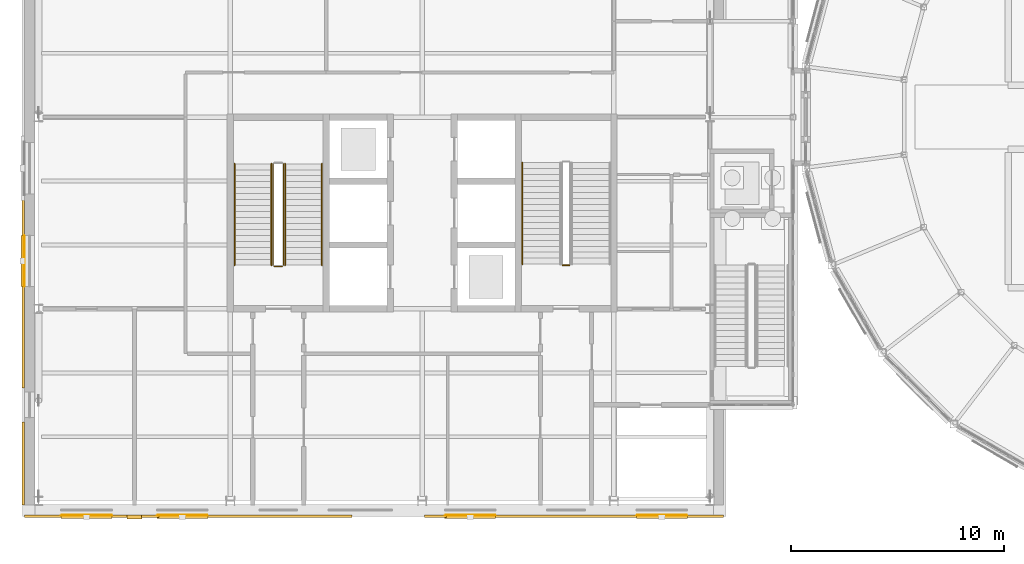
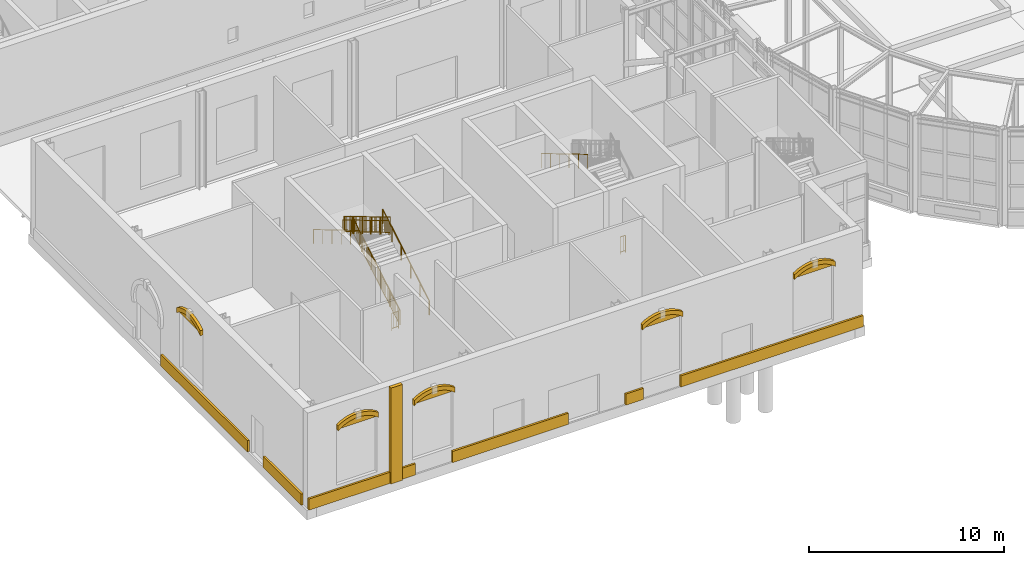
# One storey, part 90 of 106: 18 coverings, 9 railings.
"""IFC4 building model written with IfcOpenShell, lengths in metres."""

from ifc_helpers import new_model, si_unit, direction, frame, origin, origin_2d, place, context, subcontext, project, spatial, polyline, rectangle, circle, outline, extrude, material, layer, layer_set, type_object, element, save


model = new_model("IFC4")

# Units and contexts
model_context = context("Model", 3, precision=1e-05, world=origin(), true_north=direction((0.0, 1.0)))
body_context = subcontext(model_context, "Body", "Model", "MODEL_VIEW")
ifc_project = project(units=[si_unit("LENGTHUNIT", "METRE"), si_unit("AREAUNIT", "SQUARE_METRE"), si_unit("VOLUMEUNIT", "CUBIC_METRE"), si_unit("PLANEANGLEUNIT", "RADIAN"), si_unit("MASSUNIT", "GRAM", prefix="KILO")], contexts=[model_context])

# Site, building, storey
site_placement = place(None, origin())
site = spatial("IfcSite", under=ifc_project, at=site_placement, CompositionType="ELEMENT")
building_placement = place(site_placement, origin())
building = spatial("IfcBuilding", under=site, at=building_placement, Name="Hortulan Conservatory and Botanical Research Centre", CompositionType="ELEMENT")
storey_placement = place(building_placement, origin())
storey = spatial("IfcBuildingStorey", under=building, at=storey_placement, Name="L00", CompositionType="ELEMENT", Elevation=0.0)

# Coverings
ifc_material_1 = material(Name="Sandstone masonry (Hawkesbury yellow block)", Category="masonry")
ifc_layer_1 = layer(ifc_material_1, 0.1201171875)
ifc_layer_set_1 = layer_set([ifc_layer_1], Name="Rusticated Sandstone Base Course 700x120")
covering_type_1 = type_object("IfcCoveringType", Name="Rusticated Sandstone Base Course 700x120", PredefinedType="CLADDING", material=ifc_layer_set_1)
covering_1_placement = place(storey_placement, frame((26.75, -0.720947265625, 0.0), z_axis=(0.0, 0.0, 1.0), x_axis=(-1.0, 0.0, 0.0)))
element("IfcCovering", 1, at=covering_1_placement, inside=storey, type_object=covering_type_1, Name="String course", PredefinedType="CLADDING", context=body_context, shape_type="SweptSolid", body=[
    extrude(rectangle(XDim=10.800048828125, YDim=0.1201171875, at=origin_2d()), origin(), (0.0, 0.0, 1.0), 0.699951171875),
])
covering_2_placement = place(storey_placement, frame((18.625, -0.720947265625, 0.0), z_axis=(0.0, 0.0, 1.0), x_axis=(-1.0, 0.0, 0.0)))
element("IfcCovering", 2, at=covering_2_placement, inside=storey, type_object=covering_type_1, Name="String course", PredefinedType="CLADDING", context=body_context, shape_type="SweptSolid", body=[
    extrude(rectangle(XDim=1.050048828125, YDim=0.1201171875, at=origin_2d()), origin(), (0.0, 0.0, 1.0), 0.699951171875),
])
covering_3_placement = place(storey_placement, frame((11.27490234375, -0.720947265625, 0.0), z_axis=(0.0, 0.0, 1.0), x_axis=(-1.0, 0.0, 0.0)))
element("IfcCovering", 3, at=covering_3_placement, inside=storey, type_object=covering_type_1, Name="String course", PredefinedType="CLADDING", context=body_context, shape_type="SweptSolid", body=[
    extrude(rectangle(XDim=6.85009765625, YDim=0.1201171875, at=origin_2d()), origin(), (0.0, 0.0, 1.0), 0.699951171875),
])
covering_4_placement = place(storey_placement, frame((5.235107421875, -0.720947265625, 0.0), z_axis=(0.0, 0.0, 1.0), x_axis=(-1.0, 0.0, 0.0)))
element("IfcCovering", 4, at=covering_4_placement, inside=storey, type_object=covering_type_1, Name="String course", PredefinedType="CLADDING", context=body_context, shape_type="SweptSolid", body=[
    extrude(rectangle(XDim=0.830078125, YDim=0.1201171875, at=origin_2d()), origin(), (0.0, 0.0, 1.0), 0.699951171875),
])
covering_5_placement = place(storey_placement, frame((1.764892578125, -0.720947265625, 0.0), z_axis=(0.0, 0.0, 1.0), x_axis=(-1.0, 0.0, 0.0)))
element("IfcCovering", 5, at=covering_5_placement, inside=storey, type_object=covering_type_1, Name="String course", PredefinedType="CLADDING", context=body_context, shape_type="SweptSolid", body=[
    extrude(rectangle(XDim=4.830078125, YDim=0.1201171875, at=origin_2d()), origin(), (0.0, 0.0, 1.0), 0.699951171875),
])
covering_6_placement = place(storey_placement, frame((-0.7099609375, 1.75, 0.0), z_axis=(0.0, 0.0, 1.0), x_axis=(0.0, 1.0, 0.0)))
element("IfcCovering", 6, at=covering_6_placement, inside=storey, type_object=covering_type_1, Name="String course", PredefinedType="CLADDING", context=body_context, shape_type="SweptSolid", body=[
    extrude(rectangle(XDim=3.89990234375, YDim=0.1201171875, at=origin_2d()), origin(), (0.0, 0.0, 1.0), 0.699951171875),
])
covering_7_placement = place(storey_placement, frame((-0.7099609375, 9.75, 0.0), z_axis=(0.0, 0.0, 1.0), x_axis=(0.0, 1.0, 0.0)))
element("IfcCovering", 7, at=covering_7_placement, inside=storey, type_object=covering_type_1, Name="String course", PredefinedType="CLADDING", context=body_context, shape_type="SweptSolid", body=[
    extrude(rectangle(XDim=8.89990234375, YDim=0.1201171875, at=origin_2d()), origin(), (0.0, 0.0, 1.0), 0.699951171875),
])
ifc_layer_2 = layer(ifc_material_1, 0.179931640625)
ifc_layer_set_2 = layer_set([ifc_layer_2], Name="Sandstone Arch Band 250")
covering_type_2 = type_object("IfcCoveringType", Name="Sandstone Arch Band 250", PredefinedType="CLADDING", material=ifc_layer_set_2)
for number, where, z_axis, x_axis, name in (
    (8, (3.449951171875, -0.7509765625, 4.39990234375), (0.0, 0.0, 1.0), (-1.0, 0.0, 0.0), "Arched window head"),
    (9, (7.949951171875, -0.7509765625, 4.39990234375), (0.0, 0.0, 1.0), (-1.0, 0.0, 0.0), "Arched window head"),
    (10, (21.449951171875, -0.7509765625, 4.39990234375), (0.0, 0.0, 1.0), (-1.0, 0.0, 0.0), "Arched window head"),
    (11, (30.449951171875, -0.7509765625, 4.39990234375), (0.0, 0.0, 1.0), (-1.0, 0.0, 0.0), "Arched window head"),
    (12, (-0.739990234375, 10.050048828125, 4.39990234375), (0.0, 0.0, 1.0), (0.0, 1.0, 0.0), "Arched window head"),
):
    element("IfcCovering", number, at=place(storey_placement, frame(where, z_axis=z_axis, x_axis=x_axis)), inside=storey, type_object=covering_type_2, Name=name, PredefinedType="CLADDING", context=body_context, shape_type="SweptSolid", body=[
        extrude(outline(polyline([(0.0, 0.0), (0.239990234375, 0.17724609375), (0.47998046875, 0.302001953125), (0.719970703125, 0.3857421875), (0.9599609375, 0.434326171875), (1.199951171875, 0.4501953125), (1.43994140625, 0.434326171875), (1.679931640625, 0.3857421875), (1.919921875, 0.302001953125), (2.159912109375, 0.17724609375), (2.39990234375, 0.0), (2.39990234375, 0.31787109375), (2.159912109375, 0.464599609375), (1.919921875, 0.5712890625), (1.679931640625, 0.643798828125), (1.43994140625, 0.686279296875), (1.199951171875, 0.7001953125), (0.9599609375, 0.686279296875), (0.719970703125, 0.643798828125), (0.47998046875, 0.5712890625), (0.239990234375, 0.464599609375), (0.0, 0.31787109375), (0.0, 0.0)])), frame((0.0, 0.08984375, 0.0), z_axis=(0.0, -1.0, 0.0), x_axis=(1.0, 0.0, 0.0)), (0.0, 0.0, 1.0), 0.179931640625),
    ])
ifc_layer_3 = layer(ifc_material_1, 0.199951171875)
ifc_layer_set_3 = layer_set([ifc_layer_3], Name="Sandstone Pilaster 700x200")
covering_type_3 = type_object("IfcCoveringType", Name="Sandstone Pilaster 700x200", PredefinedType="CLADDING", material=ifc_layer_set_3)
covering_8_placement = place(storey_placement, frame((4.5, -0.760986328125, 0.0), z_axis=(0.0, 0.0, 1.0), x_axis=(-1.0, 0.0, 0.0)))
element("IfcCovering", 13, at=covering_8_placement, inside=storey, type_object=covering_type_3, Name="Pier", PredefinedType="CLADDING", context=body_context, shape_type="SweptSolid", body=[
    extrude(rectangle(XDim=0.699951171875, YDim=0.199951171875, at=origin_2d()), origin(), (0.0, 0.0, 1.0), 6.0),
])

# Railings
ifc_material_2 = material(Name="Steel balustrade, bronze-charcoal paint", Category="steel")
railing_type_1 = type_object("IfcRailingType", Name="Stair Guard 1100", PredefinedType="GUARDRAIL", material=ifc_material_2)
railing_1_placement = place(storey_placement, frame((11.5, 11.050048828125, 0.166748046875)))
element("IfcRailing", 14, at=railing_1_placement, inside=storey, type_object=railing_type_1, Name="Guard T1 L00 stair 1", PredefinedType="GUARDRAIL", context=body_context, shape_type="SweptSolid", body=[
    extrude(circle(Radius=0.02392578125, at=origin_2d()), frame((0.0, 0.0, 1.076171875), z_axis=(0.0, 0.859299802514, 0.511472237174), x_axis=(-1.0, 0.0, 0.0)), (0.0, 0.0, 1.0), 5.539306640625),
    extrude(circle(Radius=0.02392578125, at=origin_2d()), frame((0.0, 0.0, 0.1240234375), z_axis=(0.0, 0.859299802514, 0.511472237174), x_axis=(-1.0, 0.0, 0.0)), (0.0, 0.0, 1.0), 5.539306640625),
    extrude(circle(Radius=0.008056640625, at=origin_2d()), frame((0.0, 0.09326171875, 0.203857421875)), (0.0, 0.0, 1.0), 0.90380859375),
    extrude(circle(Radius=0.008056640625, at=origin_2d()), frame((0.0, 0.186767578125, 0.25927734375)), (0.0, 0.0, 1.0), 0.90380859375),
    extrude(circle(Radius=0.008056640625, at=origin_2d()), frame((0.0, 0.280029296875, 0.31494140625)), (0.0, 0.0, 1.0), 0.90380859375),
    extrude(circle(Radius=0.008056640625, at=origin_2d()), frame((0.0, 0.373291015625, 0.370361328125)), (0.0, 0.0, 1.0), 0.90380859375),
    extrude(circle(Radius=0.008056640625, at=origin_2d()), frame((0.0, 0.466552734375, 0.426025390625)), (0.0, 0.0, 1.0), 0.90380859375),
    extrude(circle(Radius=0.008056640625, at=origin_2d()), frame((0.0, 0.56005859375, 0.4814453125)), (0.0, 0.0, 1.0), 0.90380859375),
    extrude(circle(Radius=0.008056640625, at=origin_2d()), frame((0.0, 0.6533203125, 0.537109375)), (0.0, 0.0, 1.0), 0.90380859375),
    extrude(circle(Radius=0.008056640625, at=origin_2d()), frame((0.0, 0.74658203125, 0.592529296875)), (0.0, 0.0, 1.0), 0.90380859375),
    extrude(circle(Radius=0.008056640625, at=origin_2d()), frame((0.0, 0.840087890625, 0.648193359375)), (0.0, 0.0, 1.0), 0.90380859375),
    extrude(circle(Radius=0.008056640625, at=origin_2d()), frame((0.0, 0.933349609375, 0.70361328125)), (0.0, 0.0, 1.0), 0.90380859375),
    extrude(circle(Radius=0.008056640625, at=origin_2d()), frame((0.0, 1.026611328125, 0.75927734375)), (0.0, 0.0, 1.0), 0.90380859375),
    extrude(circle(Radius=0.008056640625, at=origin_2d()), frame((0.0, 1.1201171875, 0.81494140625)), (0.0, 0.0, 1.0), 0.90380859375),
    extrude(circle(Radius=0.008056640625, at=origin_2d()), frame((0.0, 1.21337890625, 0.870361328125)), (0.0, 0.0, 1.0), 0.90380859375),
    extrude(circle(Radius=0.008056640625, at=origin_2d()), frame((0.0, 1.306640625, 0.926025390625)), (0.0, 0.0, 1.0), 0.90380859375),
    extrude(circle(Radius=0.008056640625, at=origin_2d()), frame((0.0, 1.39990234375, 0.9814453125)), (0.0, 0.0, 1.0), 0.90380859375),
    extrude(circle(Radius=0.008056640625, at=origin_2d()), frame((0.0, 1.493408203125, 1.037109375)), (0.0, 0.0, 1.0), 0.90380859375),
    extrude(circle(Radius=0.008056640625, at=origin_2d()), frame((0.0, 1.586669921875, 1.092529296875)), (0.0, 0.0, 1.0), 0.90380859375),
    extrude(circle(Radius=0.008056640625, at=origin_2d()), frame((0.0, 1.679931640625, 1.148193359375)), (0.0, 0.0, 1.0), 0.90380859375),
    extrude(circle(Radius=0.008056640625, at=origin_2d()), frame((0.0, 1.7734375, 1.20361328125)), (0.0, 0.0, 1.0), 0.90380859375),
    extrude(circle(Radius=0.008056640625, at=origin_2d()), frame((0.0, 1.86669921875, 1.25927734375)), (0.0, 0.0, 1.0), 0.90380859375),
    extrude(circle(Radius=0.008056640625, at=origin_2d()), frame((0.0, 1.9599609375, 1.31494140625)), (0.0, 0.0, 1.0), 0.90380859375),
    extrude(circle(Radius=0.008056640625, at=origin_2d()), frame((0.0, 2.05322265625, 1.370361328125)), (0.0, 0.0, 1.0), 0.90380859375),
    extrude(circle(Radius=0.008056640625, at=origin_2d()), frame((0.0, 2.146728515625, 1.426025390625)), (0.0, 0.0, 1.0), 0.90380859375),
    extrude(circle(Radius=0.008056640625, at=origin_2d()), frame((0.0, 2.239990234375, 1.4814453125)), (0.0, 0.0, 1.0), 0.90380859375),
    extrude(circle(Radius=0.008056640625, at=origin_2d()), frame((0.0, 2.333251953125, 1.537109375)), (0.0, 0.0, 1.0), 0.90380859375),
    extrude(circle(Radius=0.008056640625, at=origin_2d()), frame((0.0, 2.4267578125, 1.592529296875)), (0.0, 0.0, 1.0), 0.90380859375),
    extrude(circle(Radius=0.008056640625, at=origin_2d()), frame((0.0, 2.52001953125, 1.648193359375)), (0.0, 0.0, 1.0), 0.90380859375),
    extrude(circle(Radius=0.008056640625, at=origin_2d()), frame((0.0, 2.61328125, 1.70361328125)), (0.0, 0.0, 1.0), 0.90380859375),
    extrude(circle(Radius=0.008056640625, at=origin_2d()), frame((0.0, 2.706787109375, 1.75927734375)), (0.0, 0.0, 1.0), 0.90380859375),
    extrude(circle(Radius=0.008056640625, at=origin_2d()), frame((0.0, 2.800048828125, 1.814697265625)), (0.0, 0.0, 1.0), 0.90380859375),
    extrude(circle(Radius=0.008056640625, at=origin_2d()), frame((0.0, 2.893310546875, 1.870361328125)), (0.0, 0.0, 1.0), 0.90380859375),
    extrude(circle(Radius=0.008056640625, at=origin_2d()), frame((0.0, 2.986572265625, 1.926025390625)), (0.0, 0.0, 1.0), 0.90380859375),
    extrude(circle(Radius=0.008056640625, at=origin_2d()), frame((0.0, 3.080078125, 1.9814453125)), (0.0, 0.0, 1.0), 0.90380859375),
    extrude(circle(Radius=0.008056640625, at=origin_2d()), frame((0.0, 3.17333984375, 2.037109375)), (0.0, 0.0, 1.0), 0.90380859375),
    extrude(circle(Radius=0.008056640625, at=origin_2d()), frame((0.0, 3.2666015625, 2.092529296875)), (0.0, 0.0, 1.0), 0.90380859375),
    extrude(circle(Radius=0.008056640625, at=origin_2d()), frame((0.0, 3.360107421875, 2.148193359375)), (0.0, 0.0, 1.0), 0.90380859375),
    extrude(circle(Radius=0.008056640625, at=origin_2d()), frame((0.0, 3.453369140625, 2.20361328125)), (0.0, 0.0, 1.0), 0.90380859375),
    extrude(circle(Radius=0.008056640625, at=origin_2d()), frame((0.0, 3.546630859375, 2.25927734375)), (0.0, 0.0, 1.0), 0.90380859375),
    extrude(circle(Radius=0.008056640625, at=origin_2d()), frame((0.0, 3.639892578125, 2.314697265625)), (0.0, 0.0, 1.0), 0.90380859375),
    extrude(circle(Radius=0.008056640625, at=origin_2d()), frame((0.0, 3.7333984375, 2.370361328125)), (0.0, 0.0, 1.0), 0.90380859375),
    extrude(circle(Radius=0.008056640625, at=origin_2d()), frame((0.0, 3.82666015625, 2.426025390625)), (0.0, 0.0, 1.0), 0.90380859375),
    extrude(circle(Radius=0.008056640625, at=origin_2d()), frame((0.0, 3.919921875, 2.4814453125)), (0.0, 0.0, 1.0), 0.90380859375),
    extrude(circle(Radius=0.008056640625, at=origin_2d()), frame((0.0, 4.013427734375, 2.537109375)), (0.0, 0.0, 1.0), 0.90380859375),
    extrude(circle(Radius=0.008056640625, at=origin_2d()), frame((0.0, 4.106689453125, 2.592529296875)), (0.0, 0.0, 1.0), 0.90380859375),
    extrude(circle(Radius=0.008056640625, at=origin_2d()), frame((0.0, 4.199951171875, 2.648193359375)), (0.0, 0.0, 1.0), 0.90380859375),
    extrude(circle(Radius=0.008056640625, at=origin_2d()), frame((0.0, 4.29345703125, 2.70361328125)), (0.0, 0.0, 1.0), 0.90380859375),
    extrude(circle(Radius=0.008056640625, at=origin_2d()), frame((0.0, 4.38671875, 2.75927734375)), (0.0, 0.0, 1.0), 0.90380859375),
    extrude(circle(Radius=0.008056640625, at=origin_2d()), frame((0.0, 4.47998046875, 2.814697265625)), (0.0, 0.0, 1.0), 0.90380859375),
    extrude(circle(Radius=0.008056640625, at=origin_2d()), frame((0.0, 4.5732421875, 2.870361328125)), (0.0, 0.0, 1.0), 0.90380859375),
    extrude(circle(Radius=0.008056640625, at=origin_2d()), frame((0.0, 4.666748046875, 2.92578125)), (0.0, 0.0, 1.0), 0.90380859375),
    extrude(circle(Radius=0.02099609375, at=origin_2d()), origin(), (0.0, 0.0, 1.0), 1.052001953125),
    extrude(circle(Radius=0.02099609375, at=origin_2d()), frame((0.0, 0.951904296875, 0.566650390625)), (0.0, 0.0, 1.0), 1.052001953125),
    extrude(circle(Radius=0.02099609375, at=origin_2d()), frame((0.0, 1.904052734375, 1.13330078125)), (0.0, 0.0, 1.0), 1.052001953125),
    extrude(circle(Radius=0.02099609375, at=origin_2d()), frame((0.0, 2.85595703125, 1.699951171875)), (0.0, 0.0, 1.0), 1.052001953125),
    extrude(circle(Radius=0.02099609375, at=origin_2d()), frame((0.0, 3.80810546875, 2.2666015625)), (0.0, 0.0, 1.0), 1.052001953125),
    extrude(circle(Radius=0.02099609375, at=origin_2d()), frame((0.0, 4.760009765625, 2.833251953125)), (0.0, 0.0, 1.0), 1.052001953125),
])
railing_2_placement = place(storey_placement, frame((11.0, 15.81005859375, 3.166748046875)))
element("IfcRailing", 15, at=railing_2_placement, inside=storey, type_object=railing_type_1, Name="Guard T1 L00 stair 3", PredefinedType="GUARDRAIL", context=body_context, shape_type="SweptSolid", body=[
    extrude(circle(Radius=0.02392578125, at=origin_2d()), frame((0.0, 0.0, 1.076171875), z_axis=(0.0, -0.859299802514, 0.511472237174), x_axis=(1.0, 0.0, 0.0)), (0.0, 0.0, 1.0), 5.539306640625),
    extrude(circle(Radius=0.02392578125, at=origin_2d()), frame((0.0, 0.0, 0.1240234375), z_axis=(0.0, -0.859299802514, 0.511472237174), x_axis=(1.0, 0.0, 0.0)), (0.0, 0.0, 1.0), 5.539306640625),
    extrude(circle(Radius=0.008056640625, at=origin_2d()), frame((0.0, -0.09326171875, 0.203857421875)), (0.0, 0.0, 1.0), 0.90380859375),
    extrude(circle(Radius=0.008056640625, at=origin_2d()), frame((0.0, -0.186767578125, 0.25927734375)), (0.0, 0.0, 1.0), 0.90380859375),
    extrude(circle(Radius=0.008056640625, at=origin_2d()), frame((0.0, -0.280029296875, 0.31494140625)), (0.0, 0.0, 1.0), 0.90380859375),
    extrude(circle(Radius=0.008056640625, at=origin_2d()), frame((0.0, -0.373291015625, 0.370361328125)), (0.0, 0.0, 1.0), 0.90380859375),
    extrude(circle(Radius=0.008056640625, at=origin_2d()), frame((0.0, -0.466552734375, 0.426025390625)), (0.0, 0.0, 1.0), 0.90380859375),
    extrude(circle(Radius=0.008056640625, at=origin_2d()), frame((0.0, -0.56005859375, 0.4814453125)), (0.0, 0.0, 1.0), 0.90380859375),
    extrude(circle(Radius=0.008056640625, at=origin_2d()), frame((0.0, -0.6533203125, 0.537109375)), (0.0, 0.0, 1.0), 0.90380859375),
    extrude(circle(Radius=0.008056640625, at=origin_2d()), frame((0.0, -0.74658203125, 0.592529296875)), (0.0, 0.0, 1.0), 0.90380859375),
    extrude(circle(Radius=0.008056640625, at=origin_2d()), frame((0.0, -0.840087890625, 0.648193359375)), (0.0, 0.0, 1.0), 0.90380859375),
    extrude(circle(Radius=0.008056640625, at=origin_2d()), frame((0.0, -0.933349609375, 0.70361328125)), (0.0, 0.0, 1.0), 0.90380859375),
    extrude(circle(Radius=0.008056640625, at=origin_2d()), frame((0.0, -1.026611328125, 0.75927734375)), (0.0, 0.0, 1.0), 0.90380859375),
    extrude(circle(Radius=0.008056640625, at=origin_2d()), frame((0.0, -1.1201171875, 0.81494140625)), (0.0, 0.0, 1.0), 0.90380859375),
    extrude(circle(Radius=0.008056640625, at=origin_2d()), frame((0.0, -1.21337890625, 0.870361328125)), (0.0, 0.0, 1.0), 0.90380859375),
    extrude(circle(Radius=0.008056640625, at=origin_2d()), frame((0.0, -1.306640625, 0.926025390625)), (0.0, 0.0, 1.0), 0.90380859375),
    extrude(circle(Radius=0.008056640625, at=origin_2d()), frame((0.0, -1.39990234375, 0.9814453125)), (0.0, 0.0, 1.0), 0.90380859375),
    extrude(circle(Radius=0.008056640625, at=origin_2d()), frame((0.0, -1.493408203125, 1.037109375)), (0.0, 0.0, 1.0), 0.90380859375),
    extrude(circle(Radius=0.008056640625, at=origin_2d()), frame((0.0, -1.586669921875, 1.092529296875)), (0.0, 0.0, 1.0), 0.90380859375),
    extrude(circle(Radius=0.008056640625, at=origin_2d()), frame((0.0, -1.679931640625, 1.148193359375)), (0.0, 0.0, 1.0), 0.90380859375),
    extrude(circle(Radius=0.008056640625, at=origin_2d()), frame((0.0, -1.7734375, 1.20361328125)), (0.0, 0.0, 1.0), 0.90380859375),
    extrude(circle(Radius=0.008056640625, at=origin_2d()), frame((0.0, -1.86669921875, 1.25927734375)), (0.0, 0.0, 1.0), 0.90380859375),
    extrude(circle(Radius=0.008056640625, at=origin_2d()), frame((0.0, -1.9599609375, 1.31494140625)), (0.0, 0.0, 1.0), 0.90380859375),
    extrude(circle(Radius=0.008056640625, at=origin_2d()), frame((0.0, -2.05322265625, 1.370361328125)), (0.0, 0.0, 1.0), 0.90380859375),
    extrude(circle(Radius=0.008056640625, at=origin_2d()), frame((0.0, -2.146728515625, 1.426025390625)), (0.0, 0.0, 1.0), 0.90380859375),
    extrude(circle(Radius=0.008056640625, at=origin_2d()), frame((0.0, -2.239990234375, 1.4814453125)), (0.0, 0.0, 1.0), 0.90380859375),
    extrude(circle(Radius=0.008056640625, at=origin_2d()), frame((0.0, -2.333251953125, 1.537109375)), (0.0, 0.0, 1.0), 0.90380859375),
    extrude(circle(Radius=0.008056640625, at=origin_2d()), frame((0.0, -2.4267578125, 1.592529296875)), (0.0, 0.0, 1.0), 0.90380859375),
    extrude(circle(Radius=0.008056640625, at=origin_2d()), frame((0.0, -2.52001953125, 1.648193359375)), (0.0, 0.0, 1.0), 0.90380859375),
    extrude(circle(Radius=0.008056640625, at=origin_2d()), frame((0.0, -2.61328125, 1.70361328125)), (0.0, 0.0, 1.0), 0.90380859375),
    extrude(circle(Radius=0.008056640625, at=origin_2d()), frame((0.0, -2.706787109375, 1.75927734375)), (0.0, 0.0, 1.0), 0.90380859375),
    extrude(circle(Radius=0.008056640625, at=origin_2d()), frame((0.0, -2.800048828125, 1.814697265625)), (0.0, 0.0, 1.0), 0.90380859375),
    extrude(circle(Radius=0.008056640625, at=origin_2d()), frame((0.0, -2.893310546875, 1.870361328125)), (0.0, 0.0, 1.0), 0.90380859375),
    extrude(circle(Radius=0.008056640625, at=origin_2d()), frame((0.0, -2.986572265625, 1.926025390625)), (0.0, 0.0, 1.0), 0.90380859375),
    extrude(circle(Radius=0.008056640625, at=origin_2d()), frame((0.0, -3.080078125, 1.9814453125)), (0.0, 0.0, 1.0), 0.90380859375),
    extrude(circle(Radius=0.008056640625, at=origin_2d()), frame((0.0, -3.17333984375, 2.037109375)), (0.0, 0.0, 1.0), 0.90380859375),
    extrude(circle(Radius=0.008056640625, at=origin_2d()), frame((0.0, -3.2666015625, 2.092529296875)), (0.0, 0.0, 1.0), 0.90380859375),
    extrude(circle(Radius=0.008056640625, at=origin_2d()), frame((0.0, -3.360107421875, 2.148193359375)), (0.0, 0.0, 1.0), 0.90380859375),
    extrude(circle(Radius=0.008056640625, at=origin_2d()), frame((0.0, -3.453369140625, 2.20361328125)), (0.0, 0.0, 1.0), 0.90380859375),
    extrude(circle(Radius=0.008056640625, at=origin_2d()), frame((0.0, -3.546630859375, 2.25927734375)), (0.0, 0.0, 1.0), 0.90380859375),
    extrude(circle(Radius=0.008056640625, at=origin_2d()), frame((0.0, -3.639892578125, 2.314697265625)), (0.0, 0.0, 1.0), 0.90380859375),
    extrude(circle(Radius=0.008056640625, at=origin_2d()), frame((0.0, -3.7333984375, 2.370361328125)), (0.0, 0.0, 1.0), 0.90380859375),
    extrude(circle(Radius=0.008056640625, at=origin_2d()), frame((0.0, -3.82666015625, 2.426025390625)), (0.0, 0.0, 1.0), 0.90380859375),
    extrude(circle(Radius=0.008056640625, at=origin_2d()), frame((0.0, -3.919921875, 2.4814453125)), (0.0, 0.0, 1.0), 0.90380859375),
    extrude(circle(Radius=0.008056640625, at=origin_2d()), frame((0.0, -4.013427734375, 2.537109375)), (0.0, 0.0, 1.0), 0.90380859375),
    extrude(circle(Radius=0.008056640625, at=origin_2d()), frame((0.0, -4.106689453125, 2.592529296875)), (0.0, 0.0, 1.0), 0.90380859375),
    extrude(circle(Radius=0.008056640625, at=origin_2d()), frame((0.0, -4.199951171875, 2.648193359375)), (0.0, 0.0, 1.0), 0.90380859375),
    extrude(circle(Radius=0.008056640625, at=origin_2d()), frame((0.0, -4.29345703125, 2.70361328125)), (0.0, 0.0, 1.0), 0.90380859375),
    extrude(circle(Radius=0.008056640625, at=origin_2d()), frame((0.0, -4.38671875, 2.75927734375)), (0.0, 0.0, 1.0), 0.90380859375),
    extrude(circle(Radius=0.008056640625, at=origin_2d()), frame((0.0, -4.47998046875, 2.814697265625)), (0.0, 0.0, 1.0), 0.90380859375),
    extrude(circle(Radius=0.008056640625, at=origin_2d()), frame((0.0, -4.5732421875, 2.870361328125)), (0.0, 0.0, 1.0), 0.90380859375),
    extrude(circle(Radius=0.008056640625, at=origin_2d()), frame((0.0, -4.666748046875, 2.92578125)), (0.0, 0.0, 1.0), 0.90380859375),
    extrude(circle(Radius=0.02099609375, at=origin_2d()), origin(), (0.0, 0.0, 1.0), 1.052001953125),
    extrude(circle(Radius=0.02099609375, at=origin_2d()), frame((0.0, -0.951904296875, 0.566650390625)), (0.0, 0.0, 1.0), 1.052001953125),
    extrude(circle(Radius=0.02099609375, at=origin_2d()), frame((0.0, -1.904052734375, 1.13330078125)), (0.0, 0.0, 1.0), 1.052001953125),
    extrude(circle(Radius=0.02099609375, at=origin_2d()), frame((0.0, -2.85595703125, 1.699951171875)), (0.0, 0.0, 1.0), 1.052001953125),
    extrude(circle(Radius=0.02099609375, at=origin_2d()), frame((0.0, -3.80810546875, 2.2666015625)), (0.0, 0.0, 1.0), 1.052001953125),
    extrude(circle(Radius=0.02099609375, at=origin_2d()), frame((0.0, -4.760009765625, 2.833251953125)), (0.0, 0.0, 1.0), 1.052001953125),
])
railing_3_placement = place(storey_placement, frame((11.449951171875, 11.0, 0.0)))
element("IfcRailing", 16, at=railing_3_placement, inside=storey, type_object=railing_type_1, Name="Guard T1 L00 stair 4", PredefinedType="GUARDRAIL", context=body_context, shape_type="SweptSolid", body=[
    extrude(circle(Radius=0.02392578125, at=origin_2d()), frame((0.0, 0.0, 1.076171875), z_axis=(-1.0, 0.0, 0.0), x_axis=(0.0, -1.0, 0.0)), (0.0, 0.0, 1.0), 0.39990234375),
    extrude(circle(Radius=0.02392578125, at=origin_2d()), frame((0.0, 0.0, 0.1240234375), z_axis=(-1.0, 0.0, 0.0), x_axis=(0.0, -1.0, 0.0)), (0.0, 0.0, 1.0), 0.39990234375),
    extrude(circle(Radius=0.008056640625, at=origin_2d()), frame((-0.10009765625, 0.0, 0.148193359375)), (0.0, 0.0, 1.0), 0.90380859375),
    extrude(circle(Radius=0.008056640625, at=origin_2d()), frame((-0.199951171875, 0.0, 0.148193359375)), (0.0, 0.0, 1.0), 0.90380859375),
    extrude(circle(Radius=0.008056640625, at=origin_2d()), frame((-0.2998046875, 0.0, 0.148193359375)), (0.0, 0.0, 1.0), 0.90380859375),
    extrude(circle(Radius=0.02099609375, at=origin_2d()), origin(), (0.0, 0.0, 1.0), 1.052001953125),
    extrude(circle(Radius=0.02099609375, at=origin_2d()), frame((-0.39990234375, 0.0, 0.0)), (0.0, 0.0, 1.0), 1.052001953125),
])
railing_4_placement = place(storey_placement, frame((24.89990234375, 11.050048828125, 0.0)))
element("IfcRailing", 17, at=railing_4_placement, inside=storey, type_object=railing_type_1, Name="Guard T2 L00 stair 4", PredefinedType="GUARDRAIL", context=body_context, shape_type="SweptSolid", body=[
    extrude(circle(Radius=0.02392578125, at=origin_2d()), frame((0.0, 0.0, 1.076171875), z_axis=(-1.0, 0.0, 0.0), x_axis=(0.0, -1.0, 0.0)), (0.0, 0.0, 1.0), 0.2998046875),
    extrude(circle(Radius=0.02392578125, at=origin_2d()), frame((0.0, 0.0, 0.1240234375), z_axis=(-1.0, 0.0, 0.0), x_axis=(0.0, -1.0, 0.0)), (0.0, 0.0, 1.0), 0.2998046875),
    extrude(circle(Radius=0.008056640625, at=origin_2d()), frame((-0.099853515625, 0.0, 0.148193359375)), (0.0, 0.0, 1.0), 0.90380859375),
    extrude(circle(Radius=0.008056640625, at=origin_2d()), frame((-0.199951171875, 0.0, 0.148193359375)), (0.0, 0.0, 1.0), 0.90380859375),
    extrude(circle(Radius=0.02099609375, at=origin_2d()), origin(), (0.0, 0.0, 1.0), 1.052001953125),
    extrude(circle(Radius=0.02099609375, at=origin_2d()), frame((-0.2998046875, 0.0, 0.0)), (0.0, 0.0, 1.0), 1.052001953125),
])
ifc_material_3 = material(Name="Bronze handrail, polished", Category="metal")
railing_type_2 = type_object("IfcRailingType", Name="Stair Handrail 900", PredefinedType="HANDRAIL", material=ifc_material_3)
railing_5_placement = place(storey_placement, frame((13.300048828125, 11.050048828125, 0.166748046875)))
element("IfcRailing", 18, at=railing_5_placement, inside=storey, type_object=railing_type_2, Name="Handrail T1 L00 stair 1", PredefinedType="HANDRAIL", context=body_context, shape_type="SweptSolid", body=[
    extrude(circle(Radius=0.02392578125, at=origin_2d()), frame((0.0, 0.0, 0.8759765625), z_axis=(0.0, 0.859299802514, 0.511472237174), x_axis=(-1.0, 0.0, 0.0)), (0.0, 0.0, 1.0), 5.539306640625),
    extrude(circle(Radius=0.02099609375, at=origin_2d()), origin(), (0.0, 0.0, 1.0), 0.851806640625),
    extrude(circle(Radius=0.02099609375, at=origin_2d()), frame((0.0, 0.951904296875, 0.566650390625)), (0.0, 0.0, 1.0), 0.851806640625),
    extrude(circle(Radius=0.02099609375, at=origin_2d()), frame((0.0, 1.904052734375, 1.13330078125)), (0.0, 0.0, 1.0), 0.851806640625),
    extrude(circle(Radius=0.02099609375, at=origin_2d()), frame((0.0, 2.85595703125, 1.699951171875)), (0.0, 0.0, 1.0), 0.851806640625),
    extrude(circle(Radius=0.02099609375, at=origin_2d()), frame((0.0, 3.80810546875, 2.2666015625)), (0.0, 0.0, 1.0), 0.851806640625),
    extrude(circle(Radius=0.02099609375, at=origin_2d()), frame((0.0, 4.760009765625, 2.833251953125)), (0.0, 0.0, 1.0), 0.851806640625),
])
railing_6_placement = place(storey_placement, frame((9.199951171875, 15.81005859375, 3.166748046875)))
element("IfcRailing", 19, at=railing_6_placement, inside=storey, type_object=railing_type_2, Name="Handrail T1 L00 stair 2", PredefinedType="HANDRAIL", context=body_context, shape_type="SweptSolid", body=[
    extrude(circle(Radius=0.02392578125, at=origin_2d()), frame((0.0, 0.0, 0.8759765625), z_axis=(0.0, -0.859299802514, 0.511472237174), x_axis=(1.0, 0.0, 0.0)), (0.0, 0.0, 1.0), 5.539306640625),
    extrude(circle(Radius=0.02099609375, at=origin_2d()), origin(), (0.0, 0.0, 1.0), 0.851806640625),
    extrude(circle(Radius=0.02099609375, at=origin_2d()), frame((0.0, -0.951904296875, 0.566650390625)), (0.0, 0.0, 1.0), 0.851806640625),
    extrude(circle(Radius=0.02099609375, at=origin_2d()), frame((0.0, -1.904052734375, 1.13330078125)), (0.0, 0.0, 1.0), 0.851806640625),
    extrude(circle(Radius=0.02099609375, at=origin_2d()), frame((0.0, -2.85595703125, 1.699951171875)), (0.0, 0.0, 1.0), 0.851806640625),
    extrude(circle(Radius=0.02099609375, at=origin_2d()), frame((0.0, -3.80810546875, 2.2666015625)), (0.0, 0.0, 1.0), 0.851806640625),
    extrude(circle(Radius=0.02099609375, at=origin_2d()), frame((0.0, -4.760009765625, 2.833251953125)), (0.0, 0.0, 1.0), 0.851806640625),
])
railing_7_placement = place(storey_placement, frame((11.570068359375, 11.050048828125, 0.166748046875)))
element("IfcRailing", 20, at=railing_7_placement, inside=storey, type_object=railing_type_2, Name="Handrail T1 L00 stair 3", PredefinedType="HANDRAIL", context=body_context, shape_type="SweptSolid", body=[
    extrude(circle(Radius=0.02392578125, at=origin_2d()), frame((0.0, 0.0, 0.8759765625), z_axis=(0.0, 0.859299802514, 0.511472237174), x_axis=(-1.0, 0.0, 0.0)), (0.0, 0.0, 1.0), 5.539306640625),
    extrude(circle(Radius=0.02099609375, at=origin_2d()), origin(), (0.0, 0.0, 1.0), 0.851806640625),
    extrude(circle(Radius=0.02099609375, at=origin_2d()), frame((0.0, 0.951904296875, 0.566650390625)), (0.0, 0.0, 1.0), 0.851806640625),
    extrude(circle(Radius=0.02099609375, at=origin_2d()), frame((0.0, 1.904052734375, 1.13330078125)), (0.0, 0.0, 1.0), 0.851806640625),
    extrude(circle(Radius=0.02099609375, at=origin_2d()), frame((0.0, 2.85595703125, 1.699951171875)), (0.0, 0.0, 1.0), 0.851806640625),
    extrude(circle(Radius=0.02099609375, at=origin_2d()), frame((0.0, 3.80810546875, 2.2666015625)), (0.0, 0.0, 1.0), 0.851806640625),
    extrude(circle(Radius=0.02099609375, at=origin_2d()), frame((0.0, 4.760009765625, 2.833251953125)), (0.0, 0.0, 1.0), 0.851806640625),
])
for number, where, name in (
    (21, (10.929931640625, 15.81005859375, 3.166748046875), "Handrail T1 L00 stair 4"),
    (22, (22.699951171875, 15.860107421875, 3.166748046875), "Handrail T2 L00 stair 2"),
):
    element("IfcRailing", number, at=place(storey_placement, frame(where)), inside=storey, type_object=railing_type_2, Name=name, PredefinedType="HANDRAIL", context=body_context, shape_type="SweptSolid", body=[
        extrude(circle(Radius=0.02392578125, at=origin_2d()), frame((0.0, 0.0, 0.8759765625), z_axis=(0.0, -0.859299802514, 0.511472237174), x_axis=(1.0, 0.0, 0.0)), (0.0, 0.0, 1.0), 5.539306640625),
        extrude(circle(Radius=0.02099609375, at=origin_2d()), origin(), (0.0, 0.0, 1.0), 0.851806640625),
        extrude(circle(Radius=0.02099609375, at=origin_2d()), frame((0.0, -0.951904296875, 0.566650390625)), (0.0, 0.0, 1.0), 0.851806640625),
        extrude(circle(Radius=0.02099609375, at=origin_2d()), frame((0.0, -1.904052734375, 1.13330078125)), (0.0, 0.0, 1.0), 0.851806640625),
        extrude(circle(Radius=0.02099609375, at=origin_2d()), frame((0.0, -2.85595703125, 1.699951171875)), (0.0, 0.0, 1.0), 0.851806640625),
        extrude(circle(Radius=0.02099609375, at=origin_2d()), frame((0.0, -3.80810546875, 2.2666015625)), (0.0, 0.0, 1.0), 0.851806640625),
        extrude(circle(Radius=0.02099609375, at=origin_2d()), frame((0.0, -4.760009765625, 2.833251953125)), (0.0, 0.0, 1.0), 0.851806640625),
    ])

# Coverings
ifc_material_4 = material(Name="Faience cladding, harbour teal glaze (non-combustible)", Category="ceramic")
ifc_layer_4 = layer(ifc_material_4, 0.0400390625)
ifc_layer_set_4 = layer_set([ifc_layer_4], Name="Teal Faience Tympanum 40")
covering_type_4 = type_object("IfcCoveringType", Name="Teal Faience Tympanum 40", PredefinedType="CLADDING", material=ifc_layer_set_4)
for number, where, z_axis, x_axis, name in (
    (23, (3.449951171875, -0.680908203125, 4.39990234375), (0.0, 0.0, 1.0), (-1.0, 0.0, 0.0), "Faience tympanum"),
    (24, (7.949951171875, -0.680908203125, 4.39990234375), (0.0, 0.0, 1.0), (-1.0, 0.0, 0.0), "Faience tympanum"),
    (25, (21.449951171875, -0.680908203125, 4.39990234375), (0.0, 0.0, 1.0), (-1.0, 0.0, 0.0), "Faience tympanum"),
    (26, (30.449951171875, -0.680908203125, 4.39990234375), (0.0, 0.0, 1.0), (-1.0, 0.0, 0.0), "Faience tympanum"),
    (27, (-0.669921875, 10.050048828125, 4.39990234375), (0.0, 0.0, 1.0), (0.0, 1.0, 0.0), "Faience tympanum"),
):
    element("IfcCovering", number, at=place(storey_placement, frame(where, z_axis=z_axis, x_axis=x_axis)), inside=storey, type_object=covering_type_4, Name=name, PredefinedType="CLADDING", context=body_context, shape_type="SweptSolid", body=[
        extrude(outline(polyline([(0.0, 0.0), (0.239990234375, 0.17724609375), (0.47998046875, 0.302001953125), (0.719970703125, 0.3857421875), (0.9599609375, 0.434326171875), (1.199951171875, 0.4501953125), (1.43994140625, 0.434326171875), (1.679931640625, 0.3857421875), (1.919921875, 0.302001953125), (2.159912109375, 0.17724609375), (2.39990234375, 0.0), (2.39990234375, 0.0), (0.0, 0.0), (0.0, 0.0)])), frame((0.0, 0.02001953125, 0.0), z_axis=(0.0, -1.0, 0.0), x_axis=(1.0, 0.0, 0.0)), (0.0, 0.0, 1.0), 0.0400390625),
    ])

save(model, "model.ifc")
